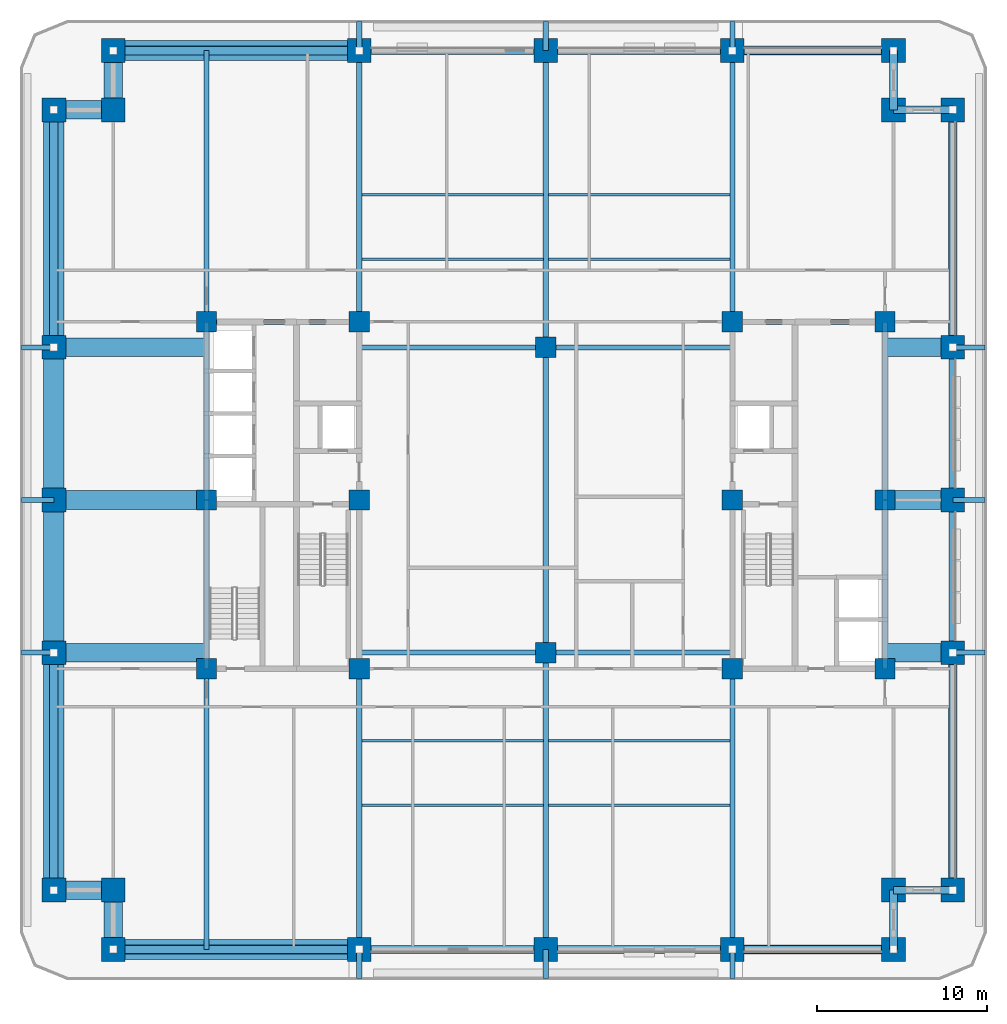
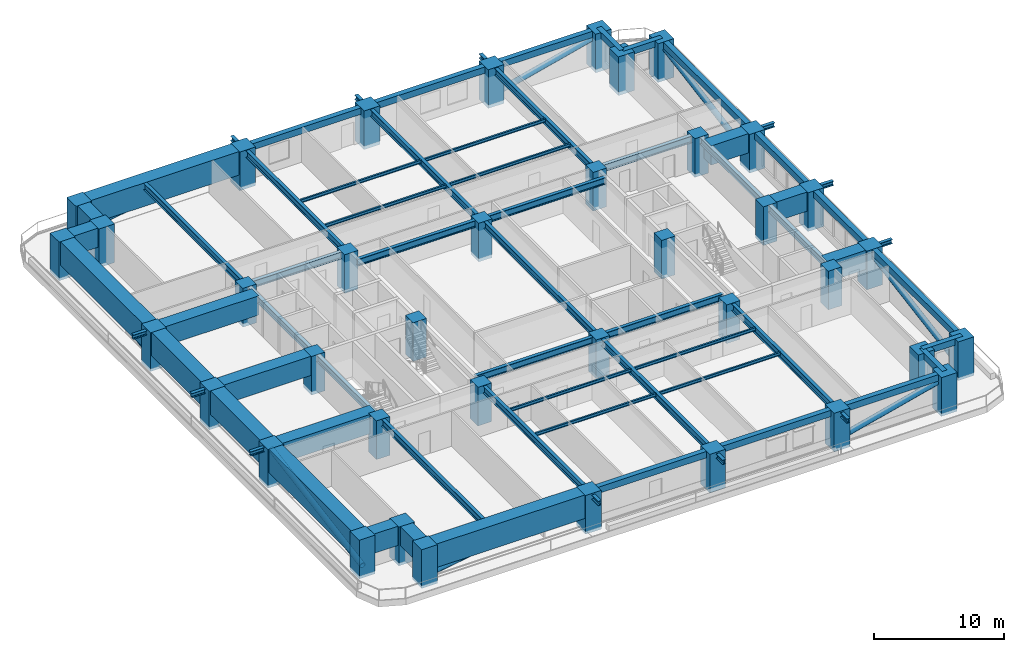
# One storey, part 1 of 14: 69 beams, 38 columns, 8 members.
"""IFC4 building model written with IfcOpenShell, lengths in metres."""

from ifc_helpers import new_model, si_unit, direction, frame, origin, origin_2d, place, context, subcontext, project, spatial, rectangle, hollow_circle, i_section, extrude, material, material_profile, profile_set, type_object, element, save


model = new_model("IFC4")

# Units and contexts
model_context = context("Model", 3, precision=1e-05, world=origin(), true_north=direction((0.0, 1.0)))
body_context = subcontext(model_context, "Body", "Model", "MODEL_VIEW")
ifc_project = project(units=[si_unit("LENGTHUNIT", "METRE"), si_unit("AREAUNIT", "SQUARE_METRE"), si_unit("VOLUMEUNIT", "CUBIC_METRE"), si_unit("PLANEANGLEUNIT", "RADIAN"), si_unit("MASSUNIT", "GRAM", prefix="KILO")], contexts=[model_context])

# Site, building, storey
site_placement = place(None, origin())
site = spatial("IfcSite", under=ifc_project, at=site_placement, CompositionType="ELEMENT")
building_placement = place(site_placement, origin())
building = spatial("IfcBuilding", under=site, at=building_placement, Name="Zulmaris Gate Convention Tower", CompositionType="ELEMENT")
storey_placement = place(building_placement, frame((0.0, 0.0, 60.760009765625)))
storey = spatial("IfcBuildingStorey", under=building, at=storey_placement, Name="L14", CompositionType="ELEMENT", Elevation=60.760009765625)

# Columns
ifc_material_1 = material(Name="Concrete C70/85", Category="concrete")
ifc_material_profile_1 = material_profile(ifc_material_1, rectangle(XDim=1.199951171875, YDim=1.199951171875, at=origin_2d()), Name="RC COL 1200x1200")
ifc_profile_set_1 = profile_set([ifc_material_profile_1], Name="Concrete C70/85")
column_type_1 = type_object("IfcColumnType", Name="COL-RC1200", PredefinedType="COLUMN", material=ifc_profile_set_1)
for number, where, z_axis, x_axis, name in (
    (1, (-20.0, -9.949951171875, -0.300048828125), (0.0, 0.0, 1.0), (1.0, 0.0, 0.0), "L14 Column IN--20.00_-9.95"),
    (2, (-20.0, 10.5, -0.300048828125), (0.0, 0.0, 1.0), (1.0, 0.0, 0.0), "L14 Column IN--20.00_+10.50"),
    (3, (-11.0, -9.949951171875, -0.300048828125), (0.0, 0.0, 1.0), (1.0, 0.0, 0.0), "L14 Column IN--11.00_-9.95"),
    (4, (-11.0, 0.0, -0.300048828125), (0.0, 0.0, 1.0), (1.0, 0.0, 0.0), "L14 Column IN--11.00_+0.00"),
    (5, (-11.0, 10.5, -0.300048828125), (0.0, 0.0, 1.0), (1.0, 0.0, 0.0), "L14 Column IN--11.00_+10.50"),
    (6, (11.0, -9.949951171875, -0.300048828125), (0.0, 0.0, 1.0), (1.0, 0.0, 0.0), "L14 Column IN-+11.00_-9.95"),
    (7, (11.0, 0.0, -0.300048828125), (0.0, 0.0, 1.0), (1.0, 0.0, 0.0), "L14 Column IN-+11.00_+0.00"),
    (8, (11.0, 10.5, -0.300048828125), (0.0, 0.0, 1.0), (1.0, 0.0, 0.0), "L14 Column IN-+11.00_+10.50"),
    (9, (20.0, -9.949951171875, -0.300048828125), (0.0, 0.0, 1.0), (1.0, 0.0, 0.0), "L14 Column IN-+20.00_-9.95"),
    (10, (20.0, 10.5, -0.300048828125), (0.0, 0.0, 1.0), (1.0, 0.0, 0.0), "L14 Column IN-+20.00_+10.50"),
    (11, (0.0, -9.0, -0.300048828125), (0.0, 0.0, 1.0), (1.0, 0.0, 0.0), "L14 Column IN-+0.00_-9.00"),
    (12, (0.0, 9.0, -0.300048828125), (0.0, 0.0, 1.0), (1.0, 0.0, 0.0), "L14 Column IN-+0.00_+9.00"),
    (13, (-20.0, 0.0, -0.300048828125), (0.0, 0.0, 1.0), (1.0, 0.0, 0.0), "L14 Column IN--20.00_+0.00"),
    (14, (20.0, 0.0, -0.300048828125), (0.0, 0.0, 1.0), (1.0, 0.0, 0.0), "L14 Column IN-+20.00_+0.00"),
):
    element("IfcColumn", number, at=place(storey_placement, frame(where, z_axis=z_axis, x_axis=x_axis)), inside=storey, type_object=column_type_1, Name=name, PredefinedType="COLUMN", context=body_context, shape_type="SweptSolid", body=[
        extrude(rectangle(XDim=1.199951171875, YDim=1.199951171875, at=origin_2d()), origin(), (0.0, 0.0, 1.0), 3.619873046875),
    ])
ifc_material_2 = material(Name="Concrete C80/95", Category="concrete")
ifc_material_profile_2 = material_profile(ifc_material_2, rectangle(XDim=1.39990234375, YDim=1.39990234375, at=origin_2d()), Name="RC COL 1400x1400")
ifc_profile_set_2 = profile_set([ifc_material_profile_2], Name="Concrete C80/95")
column_type_2 = type_object("IfcColumnType", Name="COL-RC1400", PredefinedType="COLUMN", material=ifc_profile_set_2)
for number, where, z_axis, x_axis, name in (
    (15, (-25.5, -26.5, -0.300048828125), (0.0, 0.0, 1.0), (1.0, 0.0, 0.0), "L14 Column PT--25.50_-26.50"),
    (16, (-11.0, -26.5, -0.300048828125), (0.0, 0.0, 1.0), (1.0, 0.0, 0.0), "L14 Column PT--11.00_-26.50"),
    (17, (0.0, -26.5, -0.300048828125), (0.0, 0.0, 1.0), (1.0, 0.0, 0.0), "L14 Column PT-+0.00_-26.50"),
    (18, (11.0, -26.5, -0.300048828125), (0.0, 0.0, 1.0), (1.0, 0.0, 0.0), "L14 Column PT-+11.00_-26.50"),
    (19, (20.5, -26.5, -0.300048828125), (0.0, 0.0, 1.0), (1.0, 0.0, 0.0), "L14 Column PT-+20.50_-26.50"),
    (20, (-25.5, 26.5, -0.300048828125), (0.0, 0.0, 1.0), (1.0, 0.0, 0.0), "L14 Column PT--25.50_+26.50"),
    (21, (-11.0, 26.5, -0.300048828125), (0.0, 0.0, 1.0), (1.0, 0.0, 0.0), "L14 Column PT--11.00_+26.50"),
    (22, (0.0, 26.5, -0.300048828125), (0.0, 0.0, 1.0), (1.0, 0.0, 0.0), "L14 Column PT-+0.00_+26.50"),
    (23, (11.0, 26.5, -0.300048828125), (0.0, 0.0, 1.0), (1.0, 0.0, 0.0), "L14 Column PT-+11.00_+26.50"),
    (24, (20.5, 26.5, -0.300048828125), (0.0, 0.0, 1.0), (1.0, 0.0, 0.0), "L14 Column PT-+20.50_+26.50"),
    (25, (-29.0, -23.0, -0.300048828125), (0.0, 0.0, 1.0), (1.0, 0.0, 0.0), "L14 Column PT--29.00_-23.00"),
    (26, (-29.0, -9.0, -0.300048828125), (0.0, 0.0, 1.0), (1.0, 0.0, 0.0), "L14 Column PT--29.00_-9.00"),
    (27, (-29.0, 0.0, -0.300048828125), (0.0, 0.0, 1.0), (1.0, 0.0, 0.0), "L14 Column PT--29.00_+0.00"),
    (28, (-29.0, 9.0, -0.300048828125), (0.0, 0.0, 1.0), (1.0, 0.0, 0.0), "L14 Column PT--29.00_+9.00"),
    (29, (-29.0, 23.0, -0.300048828125), (0.0, 0.0, 1.0), (1.0, 0.0, 0.0), "L14 Column PT--29.00_+23.00"),
    (30, (24.0, -23.0, -0.300048828125), (0.0, 0.0, 1.0), (1.0, 0.0, 0.0), "L14 Column PT-+24.00_-23.00"),
    (31, (24.0, -9.0, -0.300048828125), (0.0, 0.0, 1.0), (1.0, 0.0, 0.0), "L14 Column PT-+24.00_-9.00"),
    (32, (24.0, 0.0, -0.300048828125), (0.0, 0.0, 1.0), (1.0, 0.0, 0.0), "L14 Column PT-+24.00_+0.00"),
    (33, (24.0, 9.0, -0.300048828125), (0.0, 0.0, 1.0), (1.0, 0.0, 0.0), "L14 Column PT-+24.00_+9.00"),
    (34, (24.0, 23.0, -0.300048828125), (0.0, 0.0, 1.0), (1.0, 0.0, 0.0), "L14 Column PT-+24.00_+23.00"),
    (35, (-25.5, -23.0, -0.300048828125), (0.0, 0.0, 1.0), (1.0, 0.0, 0.0), "L14 Column PT--25.50_-23.00"),
    (36, (20.5, -23.0, -0.300048828125), (0.0, 0.0, 1.0), (1.0, 0.0, 0.0), "L14 Column PT-+20.50_-23.00"),
    (37, (20.5, 23.0, -0.300048828125), (0.0, 0.0, 1.0), (1.0, 0.0, 0.0), "L14 Column PT-+20.50_+23.00"),
    (38, (-25.5, 23.0, -0.300048828125), (0.0, 0.0, 1.0), (1.0, 0.0, 0.0), "L14 Column PT--25.50_+23.00"),
):
    element("IfcColumn", number, at=place(storey_placement, frame(where, z_axis=z_axis, x_axis=x_axis)), inside=storey, type_object=column_type_2, Name=name, PredefinedType="COLUMN", context=body_context, shape_type="SweptSolid", body=[
        extrude(rectangle(XDim=1.39990234375, YDim=1.39990234375, at=origin_2d()), origin(), (0.0, 0.0, 1.0), 3.619873046875),
    ])

# Beams
ifc_material_3 = material(Name="Steel S355", Category="steel")
ifc_material_profile_3 = material_profile(ifc_material_3, i_section(OverallWidth=0.300048828125, OverallDepth=0.39990234375, WebThickness=0.013427734375, FlangeThickness=0.02392578125, FilletRadius=0.027099609375, at=origin_2d()), Name="HEB 400")
ifc_profile_set_3 = profile_set([ifc_material_profile_3], Name="Steel S355")
beam_type_1 = type_object("IfcBeamType", Name="BM-HEB400", PredefinedType="BEAM", material=ifc_profile_set_3)
for number, where, z_axis, x_axis, name in (
    (39, (-11.0, -28.199951171875, 2.979736328125), (0.0, 1.0, 0.0), (-1.0, 0.0, 0.0), "L14 Beam TBRK-L14-S--11"),
    (40, (-11.0, 26.5, 2.979736328125), (0.0, 1.0, 0.0), (-1.0, 0.0, 0.0), "L14 Beam TBRK-L14-N--11"),
    (41, (0.0, -28.199951171875, 2.979736328125), (0.0, 1.0, 0.0), (-1.0, 0.0, 0.0), "L14 Beam TBRK-L14-S-+0"),
    (42, (0.0, 26.5, 2.979736328125), (0.0, 1.0, 0.0), (-1.0, 0.0, 0.0), "L14 Beam TBRK-L14-N-+0"),
    (43, (11.0, -28.199951171875, 2.979736328125), (0.0, 1.0, 0.0), (-1.0, 0.0, 0.0), "L14 Beam TBRK-L14-S-+11"),
    (44, (11.0, 26.5, 2.979736328125), (0.0, 1.0, 0.0), (-1.0, 0.0, 0.0), "L14 Beam TBRK-L14-N-+11"),
):
    element("IfcBeam", number, at=place(storey_placement, frame(where, z_axis=z_axis, x_axis=x_axis)), inside=storey, type_object=beam_type_1, Name=name, PredefinedType="BEAM", context=body_context, shape_type="SweptSolid", body=[
        extrude(i_section(OverallWidth=0.300048828125, OverallDepth=0.39990234375, WebThickness=0.013427734375, FlangeThickness=0.02392578125, FilletRadius=0.027099609375, at=origin_2d()), origin(), (0.0, 0.0, 1.0), 1.699951171875),
    ])
for number, where, z_axis, x_axis, name in (
    (45, (-30.89990234375, -9.0, 2.979736328125), (1.0, 0.0, 0.0), (0.0, 1.0, 0.0), "L14 Beam TBRK-L14-W--9"),
    (46, (24.0, -9.0, 2.979736328125), (1.0, 0.0, 0.0), (0.0, 1.0, 0.0), "L14 Beam TBRK-L14-E--9"),
    (47, (-30.89990234375, 0.0, 2.979736328125), (1.0, 0.0, 0.0), (0.0, 1.0, 0.0), "L14 Beam TBRK-L14-W-+0"),
    (48, (24.0, 0.0, 2.979736328125), (1.0, 0.0, 0.0), (0.0, 1.0, 0.0), "L14 Beam TBRK-L14-E-+0"),
    (49, (-30.89990234375, 9.0, 2.979736328125), (1.0, 0.0, 0.0), (0.0, 1.0, 0.0), "L14 Beam TBRK-L14-W-+9"),
    (50, (24.0, 9.0, 2.979736328125), (1.0, 0.0, 0.0), (0.0, 1.0, 0.0), "L14 Beam TBRK-L14-E-+9"),
):
    element("IfcBeam", number, at=place(storey_placement, frame(where, z_axis=z_axis, x_axis=x_axis)), inside=storey, type_object=beam_type_1, Name=name, PredefinedType="BEAM", context=body_context, shape_type="SweptSolid", body=[
        extrude(i_section(OverallWidth=0.300048828125, OverallDepth=0.39990234375, WebThickness=0.013427734375, FlangeThickness=0.02392578125, FilletRadius=0.027099609375, at=origin_2d()), origin(), (0.0, 0.0, 1.0), 1.89990234375),
    ])
ifc_material_profile_4 = material_profile(ifc_material_3, i_section(OverallWidth=0.300048828125, OverallDepth=0.64990234375, WebThickness=0.01611328125, FlangeThickness=0.031005859375, FilletRadius=0.027099609375, at=origin_2d()), Name="HEB 650")
ifc_profile_set_4 = profile_set([ifc_material_profile_4], Name="Steel S355")
beam_type_2 = type_object("IfcBeamType", Name="BM-HEB650", PredefinedType="BEAM", material=ifc_profile_set_4)
for number, where, z_axis, x_axis, name in (
    (51, (-11.0, -9.0, 2.99267578125), (1.0, 0.0, 0.0), (0.0, 1.0, 0.0), "L14 Beam BM-L14-G01"),
    (52, (0.0, -9.0, 2.99267578125), (1.0, 0.0, 0.0), (0.0, 1.0, 0.0), "L14 Beam BM-L14-G02"),
    (53, (-11.0, 9.0, 2.99267578125), (1.0, 0.0, 0.0), (0.0, 1.0, 0.0), "L14 Beam BM-L14-G03"),
    (54, (0.0, 9.0, 2.99267578125), (1.0, 0.0, 0.0), (0.0, 1.0, 0.0), "L14 Beam BM-L14-G04"),
):
    element("IfcBeam", number, at=place(storey_placement, frame(where, z_axis=z_axis, x_axis=x_axis)), inside=storey, type_object=beam_type_2, Name=name, PredefinedType="BEAM", context=body_context, shape_type="SweptSolid", body=[
        extrude(i_section(OverallWidth=0.300048828125, OverallDepth=0.64990234375, WebThickness=0.01611328125, FlangeThickness=0.031005859375, FilletRadius=0.027099609375, at=origin_2d()), origin(), (0.0, 0.0, 1.0), 11.0),
    ])
beam_1_placement = place(storey_placement, frame((0.0, -26.5, 2.94287109375), z_axis=(0.0, 1.0, 0.0), x_axis=(-1.0, 0.0, 0.0)))
element("IfcBeam", 55, at=beam_1_placement, inside=storey, type_object=beam_type_2, Name="L14 Beam BM-L14-G05", PredefinedType="BEAM", context=body_context, shape_type="SweptSolid", body=[
    extrude(i_section(OverallWidth=0.300048828125, OverallDepth=0.64990234375, WebThickness=0.01611328125, FlangeThickness=0.031005859375, FilletRadius=0.027099609375, at=origin_2d()), origin(), (0.0, 0.0, 1.0), 17.5),
])
beam_2_placement = place(storey_placement, frame((0.0, -9.0, 2.99267578125), z_axis=(0.0, 1.0, 0.0), x_axis=(-1.0, 0.0, 0.0)))
element("IfcBeam", 56, at=beam_2_placement, inside=storey, type_object=beam_type_2, Name="L14 Beam BM-L14-G06", PredefinedType="BEAM", context=body_context, shape_type="SweptSolid", body=[
    extrude(i_section(OverallWidth=0.300048828125, OverallDepth=0.64990234375, WebThickness=0.01611328125, FlangeThickness=0.031005859375, FilletRadius=0.027099609375, at=origin_2d()), origin(), (0.0, 0.0, 1.0), 18.0),
])
beam_3_placement = place(storey_placement, frame((0.0, 9.0, 2.94287109375), z_axis=(0.0, 1.0, 0.0), x_axis=(-1.0, 0.0, 0.0)))
element("IfcBeam", 57, at=beam_3_placement, inside=storey, type_object=beam_type_2, Name="L14 Beam BM-L14-G07", PredefinedType="BEAM", context=body_context, shape_type="SweptSolid", body=[
    extrude(i_section(OverallWidth=0.300048828125, OverallDepth=0.64990234375, WebThickness=0.01611328125, FlangeThickness=0.031005859375, FilletRadius=0.027099609375, at=origin_2d()), origin(), (0.0, 0.0, 1.0), 17.5),
])
beam_4_placement = place(storey_placement, frame((-11.0, -26.5, 2.94287109375), z_axis=(0.0, 1.0, 0.0), x_axis=(-1.0, 0.0, 0.0)))
element("IfcBeam", 58, at=beam_4_placement, inside=storey, type_object=beam_type_2, Name="L14 Beam BM-L14-G08", PredefinedType="BEAM", context=body_context, shape_type="SweptSolid", body=[
    extrude(i_section(OverallWidth=0.300048828125, OverallDepth=0.64990234375, WebThickness=0.01611328125, FlangeThickness=0.031005859375, FilletRadius=0.027099609375, at=origin_2d()), origin(), (0.0, 0.0, 1.0), 16.550048828125),
])
beam_5_placement = place(storey_placement, frame((-11.0, 10.5, 2.94287109375), z_axis=(0.0, 1.0, 0.0), x_axis=(-1.0, 0.0, 0.0)))
element("IfcBeam", 59, at=beam_5_placement, inside=storey, type_object=beam_type_2, Name="L14 Beam BM-L14-G09", PredefinedType="BEAM", context=body_context, shape_type="SweptSolid", body=[
    extrude(i_section(OverallWidth=0.300048828125, OverallDepth=0.64990234375, WebThickness=0.01611328125, FlangeThickness=0.031005859375, FilletRadius=0.027099609375, at=origin_2d()), origin(), (0.0, 0.0, 1.0), 16.0),
])
beam_6_placement = place(storey_placement, frame((11.0, -26.5, 2.94287109375), z_axis=(0.0, 1.0, 0.0), x_axis=(-1.0, 0.0, 0.0)))
element("IfcBeam", 60, at=beam_6_placement, inside=storey, type_object=beam_type_2, Name="L14 Beam BM-L14-G10", PredefinedType="BEAM", context=body_context, shape_type="SweptSolid", body=[
    extrude(i_section(OverallWidth=0.300048828125, OverallDepth=0.64990234375, WebThickness=0.01611328125, FlangeThickness=0.031005859375, FilletRadius=0.027099609375, at=origin_2d()), origin(), (0.0, 0.0, 1.0), 16.550048828125),
])
beam_7_placement = place(storey_placement, frame((11.0, 10.5, 2.94287109375), z_axis=(0.0, 1.0, 0.0), x_axis=(-1.0, 0.0, 0.0)))
element("IfcBeam", 61, at=beam_7_placement, inside=storey, type_object=beam_type_2, Name="L14 Beam BM-L14-G11", PredefinedType="BEAM", context=body_context, shape_type="SweptSolid", body=[
    extrude(i_section(OverallWidth=0.300048828125, OverallDepth=0.64990234375, WebThickness=0.01611328125, FlangeThickness=0.031005859375, FilletRadius=0.027099609375, at=origin_2d()), origin(), (0.0, 0.0, 1.0), 16.0),
])
beam_8_placement = place(storey_placement, frame((-20.0, -26.5, 2.99267578125), z_axis=(0.0, 1.0, 0.0), x_axis=(-1.0, 0.0, 0.0)))
element("IfcBeam", 62, at=beam_8_placement, inside=storey, type_object=beam_type_2, Name="L14 Beam BM-L14-G12", PredefinedType="BEAM", context=body_context, shape_type="SweptSolid", body=[
    extrude(i_section(OverallWidth=0.300048828125, OverallDepth=0.64990234375, WebThickness=0.01611328125, FlangeThickness=0.031005859375, FilletRadius=0.027099609375, at=origin_2d()), origin(), (0.0, 0.0, 1.0), 16.550048828125),
])
beam_9_placement = place(storey_placement, frame((-20.0, 10.5, 2.99267578125), z_axis=(0.0, 1.0, 0.0), x_axis=(-1.0, 0.0, 0.0)))
element("IfcBeam", 63, at=beam_9_placement, inside=storey, type_object=beam_type_2, Name="L14 Beam BM-L14-G13", PredefinedType="BEAM", context=body_context, shape_type="SweptSolid", body=[
    extrude(i_section(OverallWidth=0.300048828125, OverallDepth=0.64990234375, WebThickness=0.01611328125, FlangeThickness=0.031005859375, FilletRadius=0.027099609375, at=origin_2d()), origin(), (0.0, 0.0, 1.0), 16.0),
])
for number, where, z_axis, x_axis, name in (
    (64, (-20.0, 10.5, 2.99267578125), (1.0, 0.0, 0.0), (0.0, 1.0, 0.0), "L14 Beam BM-L14-G23"),
    (65, (11.0, 10.5, 2.99267578125), (1.0, 0.0, 0.0), (0.0, 1.0, 0.0), "L14 Beam BM-L14-G25"),
):
    element("IfcBeam", number, at=place(storey_placement, frame(where, z_axis=z_axis, x_axis=x_axis)), inside=storey, type_object=beam_type_2, Name=name, PredefinedType="BEAM", context=body_context, shape_type="SweptSolid", body=[
        extrude(i_section(OverallWidth=0.300048828125, OverallDepth=0.64990234375, WebThickness=0.01611328125, FlangeThickness=0.031005859375, FilletRadius=0.027099609375, at=origin_2d()), origin(), (0.0, 0.0, 1.0), 9.0),
    ])
beam_10_placement = place(storey_placement, frame((-20.0, -9.949951171875, 2.99267578125), z_axis=(0.0, 1.0, 0.0), x_axis=(-1.0, 0.0, 0.0)))
element("IfcBeam", 66, at=beam_10_placement, inside=storey, type_object=beam_type_2, Name="L14 Beam BM-L14-G26", PredefinedType="BEAM", context=body_context, shape_type="SweptSolid", body=[
    extrude(i_section(OverallWidth=0.300048828125, OverallDepth=0.64990234375, WebThickness=0.01611328125, FlangeThickness=0.031005859375, FilletRadius=0.027099609375, at=origin_2d()), origin(), (0.0, 0.0, 1.0), 9.949951171875),
])
beam_11_placement = place(storey_placement, frame((-20.0, 0.0, 2.99267578125), z_axis=(0.0, 1.0, 0.0), x_axis=(-1.0, 0.0, 0.0)))
element("IfcBeam", 67, at=beam_11_placement, inside=storey, type_object=beam_type_2, Name="L14 Beam BM-L14-G27", PredefinedType="BEAM", context=body_context, shape_type="SweptSolid", body=[
    extrude(i_section(OverallWidth=0.300048828125, OverallDepth=0.64990234375, WebThickness=0.01611328125, FlangeThickness=0.031005859375, FilletRadius=0.027099609375, at=origin_2d()), origin(), (0.0, 0.0, 1.0), 10.5),
])
beam_12_placement = place(storey_placement, frame((20.0, -9.949951171875, 2.99267578125), z_axis=(0.0, 1.0, 0.0), x_axis=(-1.0, 0.0, 0.0)))
element("IfcBeam", 68, at=beam_12_placement, inside=storey, type_object=beam_type_2, Name="L14 Beam BM-L14-G28", PredefinedType="BEAM", context=body_context, shape_type="SweptSolid", body=[
    extrude(i_section(OverallWidth=0.300048828125, OverallDepth=0.64990234375, WebThickness=0.01611328125, FlangeThickness=0.031005859375, FilletRadius=0.027099609375, at=origin_2d()), origin(), (0.0, 0.0, 1.0), 9.949951171875),
])
beam_13_placement = place(storey_placement, frame((20.0, 0.0, 2.99267578125), z_axis=(0.0, 1.0, 0.0), x_axis=(-1.0, 0.0, 0.0)))
element("IfcBeam", 69, at=beam_13_placement, inside=storey, type_object=beam_type_2, Name="L14 Beam BM-L14-G29", PredefinedType="BEAM", context=body_context, shape_type="SweptSolid", body=[
    extrude(i_section(OverallWidth=0.300048828125, OverallDepth=0.64990234375, WebThickness=0.01611328125, FlangeThickness=0.031005859375, FilletRadius=0.027099609375, at=origin_2d()), origin(), (0.0, 0.0, 1.0), 10.5),
])
ifc_material_4 = material(Name="Precast concrete C50/60", Category="concrete")
ifc_material_profile_5 = material_profile(ifc_material_4, rectangle(XDim=0.449951171875, YDim=0.60009765625, at=origin_2d()), Name="RC SPANDREL 450x600")
ifc_profile_set_5 = profile_set([ifc_material_profile_5], Name="Precast concrete C50/60")
beam_type_3 = type_object("IfcBeamType", Name="BM-SP450x600", PredefinedType="SPANDREL", material=ifc_profile_set_5)
for number, where, z_axis, x_axis, name in (
    (70, (-11.0, -26.5, 3.019775390625), (1.0, 0.0, 0.0), (0.0, 1.0, 0.0), "L14 Spandrel SP-L14-02"),
    (71, (0.0, -26.5, 3.019775390625), (1.0, 0.0, 0.0), (0.0, 1.0, 0.0), "L14 Spandrel SP-L14-03"),
):
    element("IfcBeam", number, at=place(storey_placement, frame(where, z_axis=z_axis, x_axis=x_axis)), inside=storey, type_object=beam_type_3, Name=name, PredefinedType="SPANDREL", context=body_context, shape_type="SweptSolid", body=[
        extrude(rectangle(XDim=0.449951171875, YDim=0.60009765625, at=origin_2d()), origin(), (0.0, 0.0, 1.0), 11.0),
    ])
beam_14_placement = place(storey_placement, frame((11.0, -26.5, 3.019775390625), z_axis=(1.0, 0.0, 0.0), x_axis=(0.0, 1.0, 0.0)))
element("IfcBeam", 72, at=beam_14_placement, inside=storey, type_object=beam_type_3, Name="L14 Spandrel SP-L14-04", PredefinedType="SPANDREL", context=body_context, shape_type="SweptSolid", body=[
    extrude(rectangle(XDim=0.449951171875, YDim=0.60009765625, at=origin_2d()), origin(), (0.0, 0.0, 1.0), 9.5),
])
for number, where, z_axis, x_axis, name in (
    (73, (20.5, -26.5, 3.019775390625), (0.0, 1.0, 0.0), (-1.0, 0.0, 0.0), "L14 Spandrel SP-L14-05"),
    (74, (20.5, -23.0, 3.019775390625), (1.0, 0.0, 0.0), (0.0, 1.0, 0.0), "L14 Spandrel SP-L14-06"),
):
    element("IfcBeam", number, at=place(storey_placement, frame(where, z_axis=z_axis, x_axis=x_axis)), inside=storey, type_object=beam_type_3, Name=name, PredefinedType="SPANDREL", context=body_context, shape_type="SweptSolid", body=[
        extrude(rectangle(XDim=0.449951171875, YDim=0.60009765625, at=origin_2d()), origin(), (0.0, 0.0, 1.0), 3.5),
    ])
beam_15_placement = place(storey_placement, frame((24.0, -23.0, 3.019775390625), z_axis=(0.0, 1.0, 0.0), x_axis=(-1.0, 0.0, 0.0)))
element("IfcBeam", 75, at=beam_15_placement, inside=storey, type_object=beam_type_3, Name="L14 Spandrel SP-L14-07", PredefinedType="SPANDREL", context=body_context, shape_type="SweptSolid", body=[
    extrude(rectangle(XDim=0.449951171875, YDim=0.60009765625, at=origin_2d()), origin(), (0.0, 0.0, 1.0), 14.0),
])
for number, where, z_axis, x_axis, name in (
    (76, (24.0, -9.0, 3.019775390625), (0.0, 1.0, 0.0), (-1.0, 0.0, 0.0), "L14 Spandrel SP-L14-08"),
    (77, (24.0, 0.0, 3.019775390625), (0.0, 1.0, 0.0), (-1.0, 0.0, 0.0), "L14 Spandrel SP-L14-09"),
):
    element("IfcBeam", number, at=place(storey_placement, frame(where, z_axis=z_axis, x_axis=x_axis)), inside=storey, type_object=beam_type_3, Name=name, PredefinedType="SPANDREL", context=body_context, shape_type="SweptSolid", body=[
        extrude(rectangle(XDim=0.449951171875, YDim=0.60009765625, at=origin_2d()), origin(), (0.0, 0.0, 1.0), 9.0),
    ])
beam_16_placement = place(storey_placement, frame((24.0, 9.0, 3.019775390625), z_axis=(0.0, 1.0, 0.0), x_axis=(-1.0, 0.0, 0.0)))
element("IfcBeam", 78, at=beam_16_placement, inside=storey, type_object=beam_type_3, Name="L14 Spandrel SP-L14-10", PredefinedType="SPANDREL", context=body_context, shape_type="SweptSolid", body=[
    extrude(rectangle(XDim=0.449951171875, YDim=0.60009765625, at=origin_2d()), origin(), (0.0, 0.0, 1.0), 14.0),
])
for number, where, z_axis, x_axis, name in (
    (79, (24.0, 23.0, 3.019775390625), (-1.0, 0.0, 0.0), (0.0, -1.0, 0.0), "L14 Spandrel SP-L14-11"),
    (80, (20.5, 23.0, 3.019775390625), (0.0, 1.0, 0.0), (-1.0, 0.0, 0.0), "L14 Spandrel SP-L14-12"),
):
    element("IfcBeam", number, at=place(storey_placement, frame(where, z_axis=z_axis, x_axis=x_axis)), inside=storey, type_object=beam_type_3, Name=name, PredefinedType="SPANDREL", context=body_context, shape_type="SweptSolid", body=[
        extrude(rectangle(XDim=0.449951171875, YDim=0.60009765625, at=origin_2d()), origin(), (0.0, 0.0, 1.0), 3.5),
    ])
beam_17_placement = place(storey_placement, frame((20.5, 26.5, 3.019775390625), z_axis=(-1.0, 0.0, 0.0), x_axis=(0.0, -1.0, 0.0)))
element("IfcBeam", 81, at=beam_17_placement, inside=storey, type_object=beam_type_3, Name="L14 Spandrel SP-L14-13", PredefinedType="SPANDREL", context=body_context, shape_type="SweptSolid", body=[
    extrude(rectangle(XDim=0.449951171875, YDim=0.60009765625, at=origin_2d()), origin(), (0.0, 0.0, 1.0), 9.5),
])
for number, where, z_axis, x_axis, name in (
    (82, (11.0, 26.5, 3.019775390625), (-1.0, 0.0, 0.0), (0.0, -1.0, 0.0), "L14 Spandrel SP-L14-14"),
    (83, (0.0, 26.5, 3.019775390625), (-1.0, 0.0, 0.0), (0.0, -1.0, 0.0), "L14 Spandrel SP-L14-15"),
):
    element("IfcBeam", number, at=place(storey_placement, frame(where, z_axis=z_axis, x_axis=x_axis)), inside=storey, type_object=beam_type_3, Name=name, PredefinedType="SPANDREL", context=body_context, shape_type="SweptSolid", body=[
        extrude(rectangle(XDim=0.449951171875, YDim=0.60009765625, at=origin_2d()), origin(), (0.0, 0.0, 1.0), 11.0),
    ])
ifc_material_profile_6 = material_profile(ifc_material_2, rectangle(XDim=1.10009765625, YDim=1.800048828125, at=origin_2d()), Name="RC TRANSFER 1100x1800")
ifc_profile_set_6 = profile_set([ifc_material_profile_6], Name="Concrete C80/95")
beam_type_4 = type_object("IfcBeamType", Name="BM-XFER1800", PredefinedType="BEAM", material=ifc_profile_set_6)
for number, where, z_axis, x_axis, name in (
    (84, (-25.5, 26.5, 2.419677734375), (0.0, -1.0, 0.0), (1.0, 0.0, 0.0), "L14 Beam SP-L14-17"),
    (85, (-25.5, 23.0, 2.419677734375), (-1.0, 0.0, 0.0), (0.0, -1.0, 0.0), "L14 Beam SP-L14-18"),
    (86, (-29.0, -23.0, 2.419677734375), (1.0, 0.0, 0.0), (0.0, 1.0, 0.0), "L14 Beam SP-L14-23"),
    (87, (-25.5, -23.0, 2.419677734375), (0.0, -1.0, 0.0), (1.0, 0.0, 0.0), "L14 Beam SP-L14-24"),
):
    element("IfcBeam", number, at=place(storey_placement, frame(where, z_axis=z_axis, x_axis=x_axis)), inside=storey, type_object=beam_type_4, Name=name, PredefinedType="BEAM", context=body_context, shape_type="SweptSolid", body=[
        extrude(rectangle(XDim=1.10009765625, YDim=1.800048828125, at=origin_2d()), origin(), (0.0, 0.0, 1.0), 3.5),
    ])
for number, where, z_axis, x_axis, name in (
    (88, (-29.0, -9.0, 2.419677734375), (1.0, 0.0, 0.0), (0.0, 1.0, 0.0), "L14 Beam BM-L14-G16"),
    (89, (-29.0, 0.0, 2.419677734375), (1.0, 0.0, 0.0), (0.0, 1.0, 0.0), "L14 Beam BM-L14-G17"),
    (90, (-29.0, 9.0, 2.419677734375), (1.0, 0.0, 0.0), (0.0, 1.0, 0.0), "L14 Beam BM-L14-G18"),
):
    element("IfcBeam", number, at=place(storey_placement, frame(where, z_axis=z_axis, x_axis=x_axis)), inside=storey, type_object=beam_type_4, Name=name, PredefinedType="BEAM", context=body_context, shape_type="SweptSolid", body=[
        extrude(rectangle(XDim=1.10009765625, YDim=1.800048828125, at=origin_2d()), origin(), (0.0, 0.0, 1.0), 9.0),
    ])
for number, where, z_axis, x_axis, name in (
    (91, (20.0, -9.0, 2.419677734375), (1.0, 0.0, 0.0), (0.0, 1.0, 0.0), "L14 Beam BM-L14-G19"),
    (92, (20.0, 0.0, 2.419677734375), (1.0, 0.0, 0.0), (0.0, 1.0, 0.0), "L14 Beam BM-L14-G20"),
    (93, (20.0, 9.0, 2.419677734375), (1.0, 0.0, 0.0), (0.0, 1.0, 0.0), "L14 Beam BM-L14-G21"),
):
    element("IfcBeam", number, at=place(storey_placement, frame(where, z_axis=z_axis, x_axis=x_axis)), inside=storey, type_object=beam_type_4, Name=name, PredefinedType="BEAM", context=body_context, shape_type="SweptSolid", body=[
        extrude(rectangle(XDim=1.10009765625, YDim=1.800048828125, at=origin_2d()), origin(), (0.0, 0.0, 1.0), 4.0),
    ])
ifc_material_profile_7 = material_profile(ifc_material_2, rectangle(XDim=1.199951171875, YDim=2.199951171875, at=origin_2d()), Name="RC TRANSFER 1200x2200")
ifc_profile_set_7 = profile_set([ifc_material_profile_7], Name="Concrete C80/95")
beam_type_5 = type_object("IfcBeamType", Name="BM-XFER2200", PredefinedType="BEAM", material=ifc_profile_set_7)
for number, where, z_axis, x_axis, name in (
    (94, (-25.5, -26.5, 2.2197265625), (1.0, 0.0, 0.0), (0.0, 1.0, 0.0), "L14 Beam SP-L14-01"),
    (95, (-11.0, 26.5, 2.2197265625), (-1.0, 0.0, 0.0), (0.0, -1.0, 0.0), "L14 Beam SP-L14-16"),
):
    element("IfcBeam", number, at=place(storey_placement, frame(where, z_axis=z_axis, x_axis=x_axis)), inside=storey, type_object=beam_type_5, Name=name, PredefinedType="BEAM", context=body_context, shape_type="SweptSolid", body=[
        extrude(rectangle(XDim=1.199951171875, YDim=2.199951171875, at=origin_2d()), origin(), (0.0, 0.0, 1.0), 14.5),
    ])
beam_18_placement = place(storey_placement, frame((-29.0, 23.0, 2.2197265625), z_axis=(0.0, -1.0, 0.0), x_axis=(1.0, 0.0, 0.0)))
element("IfcBeam", 96, at=beam_18_placement, inside=storey, type_object=beam_type_5, Name="L14 Beam SP-L14-19", PredefinedType="BEAM", context=body_context, shape_type="SweptSolid", body=[
    extrude(rectangle(XDim=1.199951171875, YDim=2.199951171875, at=origin_2d()), origin(), (0.0, 0.0, 1.0), 14.0),
])
for number, where, z_axis, x_axis, name in (
    (97, (-29.0, 9.0, 2.2197265625), (0.0, -1.0, 0.0), (1.0, 0.0, 0.0), "L14 Beam SP-L14-20"),
    (98, (-29.0, 0.0, 2.2197265625), (0.0, -1.0, 0.0), (1.0, 0.0, 0.0), "L14 Beam SP-L14-21"),
):
    element("IfcBeam", number, at=place(storey_placement, frame(where, z_axis=z_axis, x_axis=x_axis)), inside=storey, type_object=beam_type_5, Name=name, PredefinedType="BEAM", context=body_context, shape_type="SweptSolid", body=[
        extrude(rectangle(XDim=1.199951171875, YDim=2.199951171875, at=origin_2d()), origin(), (0.0, 0.0, 1.0), 9.0),
    ])
beam_19_placement = place(storey_placement, frame((-29.0, -9.0, 2.2197265625), z_axis=(0.0, -1.0, 0.0), x_axis=(1.0, 0.0, 0.0)))
element("IfcBeam", 99, at=beam_19_placement, inside=storey, type_object=beam_type_5, Name="L14 Beam SP-L14-22", PredefinedType="BEAM", context=body_context, shape_type="SweptSolid", body=[
    extrude(rectangle(XDim=1.199951171875, YDim=2.199951171875, at=origin_2d()), origin(), (0.0, 0.0, 1.0), 14.0),
])

# Members
ifc_material_5 = material(Name="Steel S460", Category="steel")
ifc_material_profile_8 = material_profile(ifc_material_5, hollow_circle(Radius=0.25390625, WallThickness=0.02490234375, at=origin_2d()), Name="CHS 508x25")
ifc_profile_set_8 = profile_set([ifc_material_profile_8], Name="Steel S460")
member_type = type_object("IfcMemberType", Name="BR-CHS508", PredefinedType="BRACE", material=ifc_profile_set_8)
for number, where, z_axis, x_axis, name in (
    (100, (-29.0, -23.0, 0.300048828125), (0.0, 0.985626261879, 0.168940438895), (-1.0, 0.0, 0.0), "L14 Perimeter Tube Diagonal SW-W"),
    (101, (-29.0, 9.0, 0.300048828125), (0.0, 0.985626261879, 0.168940438895), (-1.0, 0.0, 0.0), "L14 Perimeter Tube Diagonal NW-W"),
    (102, (24.0, -23.0, 0.300048828125), (0.0, 0.985626261879, 0.168940438895), (-1.0, 0.0, 0.0), "L14 Perimeter Tube Diagonal SE-E"),
    (103, (24.0, 9.0, 0.300048828125), (0.0, 0.985626261879, 0.168940438895), (-1.0, 0.0, 0.0), "L14 Perimeter Tube Diagonal NE-E"),
):
    element("IfcMember", number, at=place(storey_placement, frame(where, z_axis=z_axis, x_axis=x_axis)), inside=storey, type_object=member_type, Name=name, PredefinedType="BRACE", context=body_context, shape_type="SweptSolid", body=[
        extrude(hollow_circle(Radius=0.25390625, WallThickness=0.02490234375, at=origin_2d()), origin(), (0.0, 0.0, 1.0), 14.2041015625),
    ])
member_1_placement = place(storey_placement, frame((-25.5, -26.5, 0.300048828125), z_axis=(0.986580944465, 0.0, 0.163272900444), x_axis=(0.0, 1.0, 0.0)))
element("IfcMember", 104, at=member_1_placement, inside=storey, type_object=member_type, Name="L14 Perimeter Tube Diagonal SW-S", PredefinedType="BRACE", context=body_context, shape_type="SweptSolid", body=[
    extrude(hollow_circle(Radius=0.25390625, WallThickness=0.02490234375, at=origin_2d()), origin(), (0.0, 0.0, 1.0), 14.697265625),
])
member_2_placement = place(storey_placement, frame((11.0, -26.5, 0.300048828125), z_axis=(0.969547477624, 0.0, 0.244903427158), x_axis=(0.0, 1.0, 0.0)))
element("IfcMember", 105, at=member_2_placement, inside=storey, type_object=member_type, Name="L14 Perimeter Tube Diagonal SE-S", PredefinedType="BRACE", context=body_context, shape_type="SweptSolid", body=[
    extrude(hollow_circle(Radius=0.25390625, WallThickness=0.02490234375, at=origin_2d()), origin(), (0.0, 0.0, 1.0), 9.79833984375),
])
member_3_placement = place(storey_placement, frame((-25.5, 26.5, 0.300048828125), z_axis=(0.986580944465, 0.0, 0.163272900444), x_axis=(0.0, 1.0, 0.0)))
element("IfcMember", 106, at=member_3_placement, inside=storey, type_object=member_type, Name="L14 Perimeter Tube Diagonal NW-N", PredefinedType="BRACE", context=body_context, shape_type="SweptSolid", body=[
    extrude(hollow_circle(Radius=0.25390625, WallThickness=0.02490234375, at=origin_2d()), origin(), (0.0, 0.0, 1.0), 14.697265625),
])
member_4_placement = place(storey_placement, frame((11.0, 26.5, 0.300048828125), z_axis=(0.969547477624, 0.0, 0.244903427158), x_axis=(0.0, 1.0, 0.0)))
element("IfcMember", 107, at=member_4_placement, inside=storey, type_object=member_type, Name="L14 Perimeter Tube Diagonal NE-N", PredefinedType="BRACE", context=body_context, shape_type="SweptSolid", body=[
    extrude(hollow_circle(Radius=0.25390625, WallThickness=0.02490234375, at=origin_2d()), origin(), (0.0, 0.0, 1.0), 9.79833984375),
])

# Beams
ifc_material_profile_9 = material_profile(ifc_material_3, i_section(OverallWidth=0.14990234375, OverallDepth=0.300048828125, WebThickness=0.007080078125, FlangeThickness=0.0107421875, FilletRadius=0.014892578125, at=origin_2d()), Name="IPE 300")
ifc_profile_set_9 = profile_set([ifc_material_profile_9], Name="Steel S355")
beam_type_6 = type_object("IfcBeamType", Name="JT-IPE300", PredefinedType="JOIST", material=ifc_profile_set_9)
for number, where, z_axis, x_axis, name in (
    (108, (-10.85009765625, -18.0, 3.167724609375), (1.0, 0.0, 0.0), (0.0, 1.0, 0.0), "L14 Joist JT-L14-CW--18.0"),
    (109, (0.14990234375, -18.0, 3.167724609375), (1.0, 0.0, 0.0), (0.0, 1.0, 0.0), "L14 Joist JT-L14-CE--18.0"),
    (110, (-10.85009765625, -14.199951171875, 3.167724609375), (1.0, 0.0, 0.0), (0.0, 1.0, 0.0), "L14 Joist JT-L14-CW--14.2"),
    (111, (0.14990234375, -14.199951171875, 3.167724609375), (1.0, 0.0, 0.0), (0.0, 1.0, 0.0), "L14 Joist JT-L14-CE--14.2"),
    (112, (-10.85009765625, 14.199951171875, 3.167724609375), (1.0, 0.0, 0.0), (0.0, 1.0, 0.0), "L14 Joist JT-L14-CW-+14.2"),
    (113, (0.14990234375, 14.199951171875, 3.167724609375), (1.0, 0.0, 0.0), (0.0, 1.0, 0.0), "L14 Joist JT-L14-CE-+14.2"),
    (114, (-10.85009765625, 18.0, 3.167724609375), (1.0, 0.0, 0.0), (0.0, 1.0, 0.0), "L14 Joist JT-L14-CW-+18.0"),
    (115, (0.14990234375, 18.0, 3.167724609375), (1.0, 0.0, 0.0), (0.0, 1.0, 0.0), "L14 Joist JT-L14-CE-+18.0"),
):
    element("IfcBeam", number, at=place(storey_placement, frame(where, z_axis=z_axis, x_axis=x_axis)), inside=storey, type_object=beam_type_6, Name=name, PredefinedType="JOIST", context=body_context, shape_type="SweptSolid", body=[
        extrude(i_section(OverallWidth=0.14990234375, OverallDepth=0.300048828125, WebThickness=0.007080078125, FlangeThickness=0.0107421875, FilletRadius=0.014892578125, at=origin_2d()), origin(), (0.0, 0.0, 1.0), 10.7001953125),
    ])

save(model, "model.ifc")
